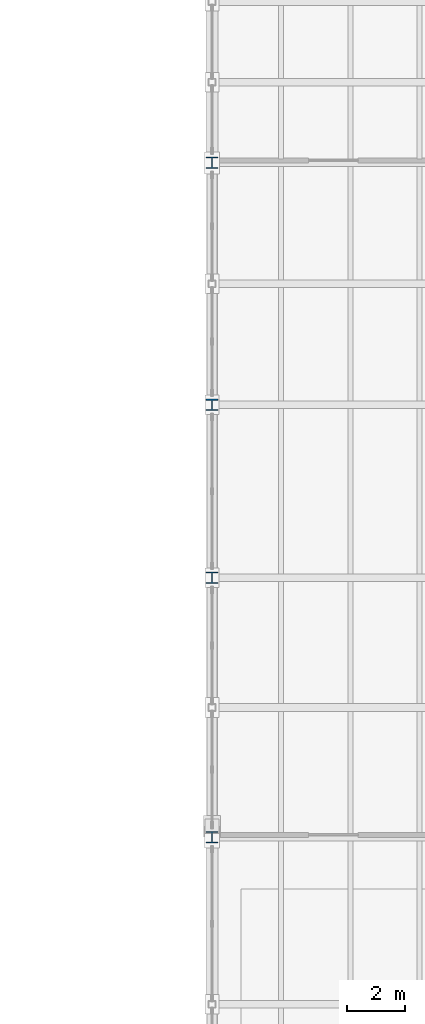
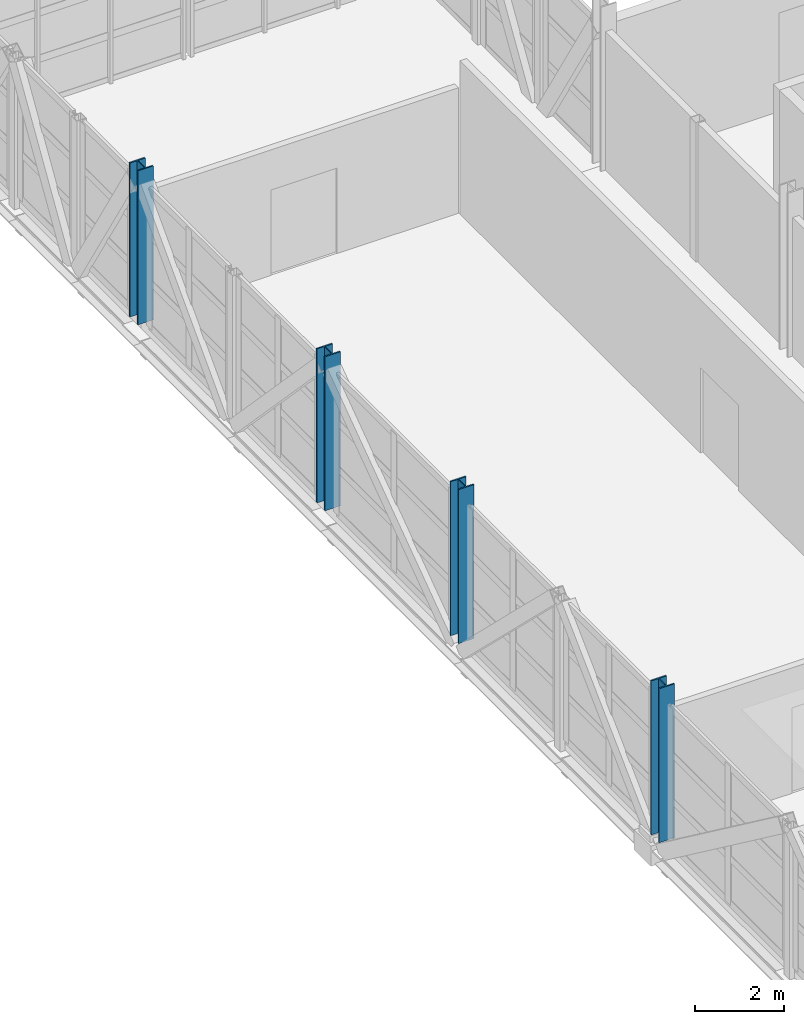
# One storey, part 3 of 63: 4 columns.
"""IFC4 building model written with IfcOpenShell, lengths in metres."""

import ifcopenshell
import ifcopenshell.guid

model = None  # the IFC model being written
_history = None  # IfcOwnerHistory: only IFC2X3 demands one
_inside = {}  # id of a spatial element -> (the spatial element, [elements in it])
_under = {}  # id of a project, library or spatial element -> (it, [spatial elements below it])
_declared = {}  # id of a project -> (the project, [libraries it declares])
_typed = {}  # id of a type object -> (the type object, [elements of that type])
_made_of = {}  # id of a material, layer set ... -> (it, [elements and type objects made of it])


def new_model(schema):
    """Start an empty IFC model of exactly this schema.

    Asked for "IFC4X3", IfcOpenShell would pick the latest addendum, in which some entities
    have other attributes; the version numbers below select the first issue.
    IFC2X3 requires an IfcOwnerHistory on every rooted entity: one is made here for all.
    """
    global model, _history
    if schema == "IFC4X3":
        model = ifcopenshell.file(schema_version=(4, 3, 0, 0))
    else:
        model = ifcopenshell.file(schema=schema)
    _inside.clear()
    _under.clear()
    _declared.clear()
    _typed.clear()
    _made_of.clear()
    _history = None
    if model.schema == "IFC2X3":
        org = make("IfcOrganization", Name="unknown")
        user = make(
            "IfcPersonAndOrganization",
            ThePerson=make("IfcPerson", FamilyName="unknown"),
            TheOrganization=org,
        )
        app = make(
            "IfcApplication",
            ApplicationDeveloper=org,
            Version="unknown",
            ApplicationFullName="unknown",
            ApplicationIdentifier="unknown",
        )
        _history = make(
            "IfcOwnerHistory",
            OwningUser=user,
            OwningApplication=app,
            ChangeAction="ADDED",
            CreationDate=0,
        )
    return model


def make(cls, **values):
    """One entity of the class cls with the attributes given. An attribute that is None is left unset."""
    return model.create_entity(
        cls, **{name: value for name, value in values.items() if value is not None}
    )


def rooted(cls, **values):
    """An entity with a GlobalId (a new one), such as an element, a storey or a relation."""
    return make(cls, GlobalId=ifcopenshell.guid.new(), OwnerHistory=_history, **values)


def si_unit(unit_type, name, prefix=None):
    """IfcSIUnit, for example si_unit("LENGTHUNIT", "METRE", prefix="MILLI")."""
    return make("IfcSIUnit", UnitType=unit_type, Prefix=prefix, Name=name)


def assignment(units):
    """IfcUnitAssignment: the units of a project."""
    return None if units is None else make("IfcUnitAssignment", Units=units)


def point(xyz):
    """IfcCartesianPoint."""
    return None if xyz is None else make("IfcCartesianPoint", Coordinates=xyz)


def direction(xyz):
    """IfcDirection."""
    return None if xyz is None else make("IfcDirection", DirectionRatios=xyz)


def frame(location, z_axis=None, x_axis=None):
    """IfcAxis2Placement3D, a coordinate frame: its origin and axes. An axis left out is left unset."""
    return make(
        "IfcAxis2Placement3D",
        Location=point(location),
        Axis=direction(z_axis),
        RefDirection=direction(x_axis),
    )


def frame_2d(location, x_axis=None):
    """IfcAxis2Placement2D, a coordinate frame in the plane: its origin and x axis."""
    return make(
        "IfcAxis2Placement2D", Location=point(location), RefDirection=direction(x_axis)
    )


def origin():
    """The frame at (0, 0, 0) with its axes left unset."""
    return frame((0.0, 0.0, 0.0))


def origin_2d():
    """The frame at (0, 0) in the plane with its x axis left unset."""
    return frame_2d((0.0, 0.0))


def place(relative_to, where):
    """IfcLocalPlacement: puts the frame where relative to a parent placement (None: the world)."""
    return make(
        "IfcLocalPlacement", PlacementRelTo=relative_to, RelativePlacement=where
    )


def context(
    kind, dimensions, precision=None, world=None, true_north=None, identifier=None
):
    """IfcGeometricRepresentationContext, for example the 3D "Model" context."""
    return make(
        "IfcGeometricRepresentationContext",
        ContextIdentifier=identifier,
        ContextType=kind,
        CoordinateSpaceDimension=dimensions,
        Precision=precision,
        WorldCoordinateSystem=world,
        TrueNorth=true_north,
    )


def subcontext(parent, identifier, kind, view, scale=None):
    """IfcGeometricRepresentationSubContext, for example "Body" below "Model"."""
    return make(
        "IfcGeometricRepresentationSubContext",
        ContextIdentifier=identifier,
        ContextType=kind,
        ParentContext=parent,
        TargetScale=scale,
        TargetView=view,
    )


def project(units=None, contexts=None):
    """IfcProject with its units and contexts."""
    return rooted(
        "IfcProject",
        Name="project",
        RepresentationContexts=contexts,
        UnitsInContext=assignment(units),
    )


def spatial(cls, under=None, at=None, **own):
    """A site, building, storey or space (cls), placed at a placement, below another one or the project."""
    s = rooted(cls, ObjectPlacement=at, **own)
    if under is not None:
        _under.setdefault(under.id(), (under, []))[1].append(s)
    return s


def profile(cls, at=None, kind="AREA", **sizes):
    """A parametric profile (cls). Its sizes go by their IFC names, for example OverallWidth=200.0."""
    return make(cls, ProfileType=kind, Position=at, **sizes)


def i_section(**sizes):
    """IfcIShapeProfileDef."""
    return profile("IfcIShapeProfileDef", **sizes)


def extrude(swept, where, along, depth):
    """IfcExtrudedAreaSolid: the profile swept, set in the frame where, extruded along a direction by depth."""
    return make(
        "IfcExtrudedAreaSolid",
        SweptArea=swept,
        Position=where,
        ExtrudedDirection=direction(along),
        Depth=depth,
    )


def shape(context_of_items, identifier, shape_type, items):
    """IfcShapeRepresentation: the items that make up one representation, for example the "Body"."""
    return make(
        "IfcShapeRepresentation",
        ContextOfItems=context_of_items,
        RepresentationIdentifier=identifier,
        RepresentationType=shape_type,
        Items=items,
    )


def material(Name=None, Category=None):
    """IfcMaterial."""
    return make("IfcMaterial", Name=Name, Category=Category)


def material_profile(
    of_material, cross_section, Name=None, Category=None, Priority=None
):
    """IfcMaterialProfile: a cross section and its material."""
    return make(
        "IfcMaterialProfile",
        Name=Name,
        Material=of_material,
        Profile=cross_section,
        Priority=Priority,
        Category=Category,
    )


def profile_set(profiles, Name=None, composite=None):
    """IfcMaterialProfileSet."""
    return make(
        "IfcMaterialProfileSet",
        Name=Name,
        MaterialProfiles=profiles,
        CompositeProfile=composite,
    )


def made_of(thing, what):
    """Note that an element or type object is made of a material, layer set ...; save() writes the relation."""
    if what is not None:
        _made_of.setdefault(what.id(), (what, []))[1].append(thing)
    return thing


def type_object(cls, material=None, **own):
    """A type object (cls), such as IfcWallType, which elements share."""
    return made_of(rooted(cls, **own), material)


def element(
    cls,
    number,
    at=None,
    inside=None,
    cuts=None,
    type_object=None,
    material=None,
    context=None,
    identifier="Body",
    shape_type=None,
    held_by="IfcProductDefinitionShape",
    body=None,
    shapes=None,
    **own,
):
    """One element of the class cls, such as IfcWall. Its Tag is "e" and its number.

    at: its placement. inside: the storey or other place that contains it. cuts: it is an
    opening in that element (IfcRelVoidsElement). A single representation is given by context,
    identifier, shape_type and body (its items); several are given by shapes. held_by: the class
    of the entity that holds the representations. save() writes the other relations.
    """
    e = rooted(cls, Tag="e%d" % number, ObjectPlacement=at, **own)
    if body is not None:
        shapes = [shape(context, identifier, shape_type, body)]
    if shapes is not None:
        e.Representation = make(held_by, Representations=shapes)
    if inside is not None:
        _inside.setdefault(inside.id(), (inside, []))[1].append(e)
    if cuts is not None:
        rooted(
            "IfcRelVoidsElement", RelatingBuildingElement=cuts, RelatedOpeningElement=e
        )
    if type_object is not None:
        _typed.setdefault(type_object.id(), (type_object, []))[1].append(e)
    return made_of(e, material)


def aggregate(whole, parts):
    """IfcRelAggregates: a whole, such as a stair, and the parts it consists of."""
    return rooted("IfcRelAggregates", RelatingObject=whole, RelatedObjects=parts)


def save(model, path):
    """Write the relations noted so far, then the file.

    IfcRelAggregates (storeys below a building ...), IfcRelContainedInSpatialStructure (elements
    in a storey), IfcRelDefinesByType, IfcRelAssociatesMaterial and IfcRelDeclares: one each for
    every whole, place, type object, material and project.
    """
    for whole, parts in _under.values():
        aggregate(whole, parts)
    for where, things in _inside.values():
        rooted(
            "IfcRelContainedInSpatialStructure",
            RelatedElements=things,
            RelatingStructure=where,
        )
    for kind, things in _typed.values():
        rooted("IfcRelDefinesByType", RelatedObjects=things, RelatingType=kind)
    for what, things in _made_of.values():
        rooted("IfcRelAssociatesMaterial", RelatedObjects=things, RelatingMaterial=what)
    for by, libraries in _declared.values():
        rooted("IfcRelDeclares", RelatingContext=by, RelatedDefinitions=libraries)
    model.write(path)


model = new_model("IFC4")

# Units and contexts
model_context = context("Model", 3, precision=1e-05, world=origin(), true_north=direction((0.0, 1.0)))
body_context = subcontext(model_context, "Body", "Model", "MODEL_VIEW")
ifc_project = project(units=[si_unit("LENGTHUNIT", "METRE"), si_unit("AREAUNIT", "SQUARE_METRE"), si_unit("VOLUMEUNIT", "CUBIC_METRE"), si_unit("PLANEANGLEUNIT", "RADIAN"), si_unit("MASSUNIT", "GRAM", prefix="KILO")], contexts=[model_context])

# Site, building, storey
site_placement = place(None, origin())
site = spatial("IfcSite", under=ifc_project, at=site_placement, CompositionType="ELEMENT")
building_placement = place(site_placement, origin())
building = spatial("IfcBuilding", under=site, at=building_placement, Name="Kelmvaro Bay Concert Hall", CompositionType="ELEMENT")
storey_placement = place(building_placement, frame((0.0, 0.0, 13.800048828125)))
storey = spatial("IfcBuildingStorey", under=building, at=storey_placement, Name="L03", CompositionType="ELEMENT", Elevation=13.800048828125)

# Columns
ifc_material = material(Name="Steel ASTM A992 Grade 50", Category="steel")
ifc_material_profile = material_profile(ifc_material, i_section(OverallWidth=0.40087890625, OverallDepth=0.39404296875, WebThickness=0.022705078125, FlangeThickness=0.03662109375, at=origin_2d()), Name="W14X193")
ifc_profile_set = profile_set([ifc_material_profile], Name="Steel ASTM A992 Grade 50")
column_type = type_object("IfcColumnType", Name="Bridge Support Column W14x193", PredefinedType="COLUMN", material=ifc_profile_set)
for number, where, z_axis, x_axis, name in (
    (1, (120.0, 73.800048828125, 0.0), (0.0, 0.0, 1.0), (1.0, 0.0, 0.0), "L03 Column V2B-120-738"),
    (2, (120.0, 82.800048828125, 0.0), (0.0, 0.0, 1.0), (1.0, 0.0, 0.0), "L03 Column V2B-120-828"),
    (3, (120.0, 88.800048828125, 0.0), (0.0, 0.0, 1.0), (1.0, 0.0, 0.0), "L03 Column V2B-120-888"),
    (4, (120.0, 97.199951171875, 0.0), (0.0, 0.0, 1.0), (1.0, 0.0, 0.0), "L03 Column V2B-120-972"),
):
    element("IfcColumn", number, at=place(storey_placement, frame(where, z_axis=z_axis, x_axis=x_axis)), inside=storey, type_object=column_type, Name=name, PredefinedType="COLUMN", context=body_context, shape_type="SweptSolid", body=[
        extrude(i_section(OverallWidth=0.40087890625, OverallDepth=0.39404296875, WebThickness=0.022705078125, FlangeThickness=0.03662109375, at=origin_2d()), origin(), (0.0, 0.0, 1.0), 4.219970703125),
    ])

save(model, "model.ifc")
